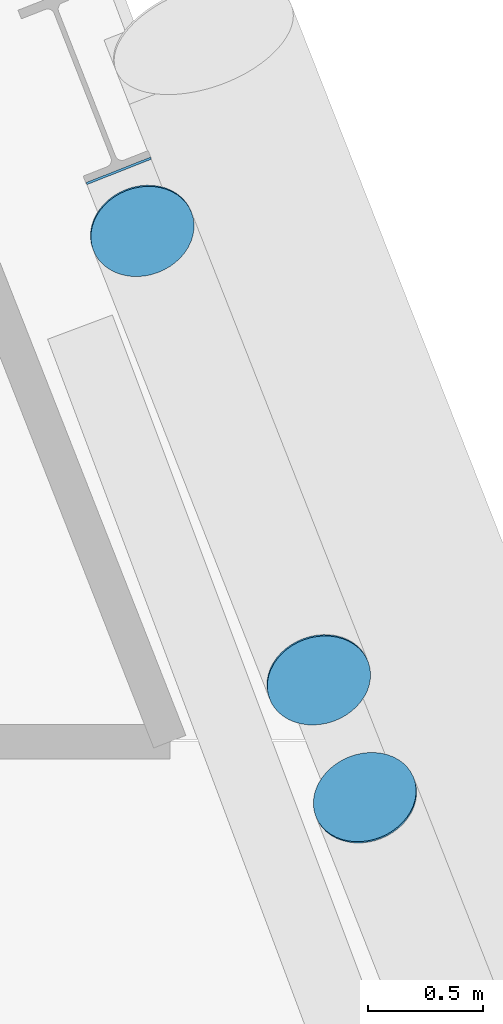
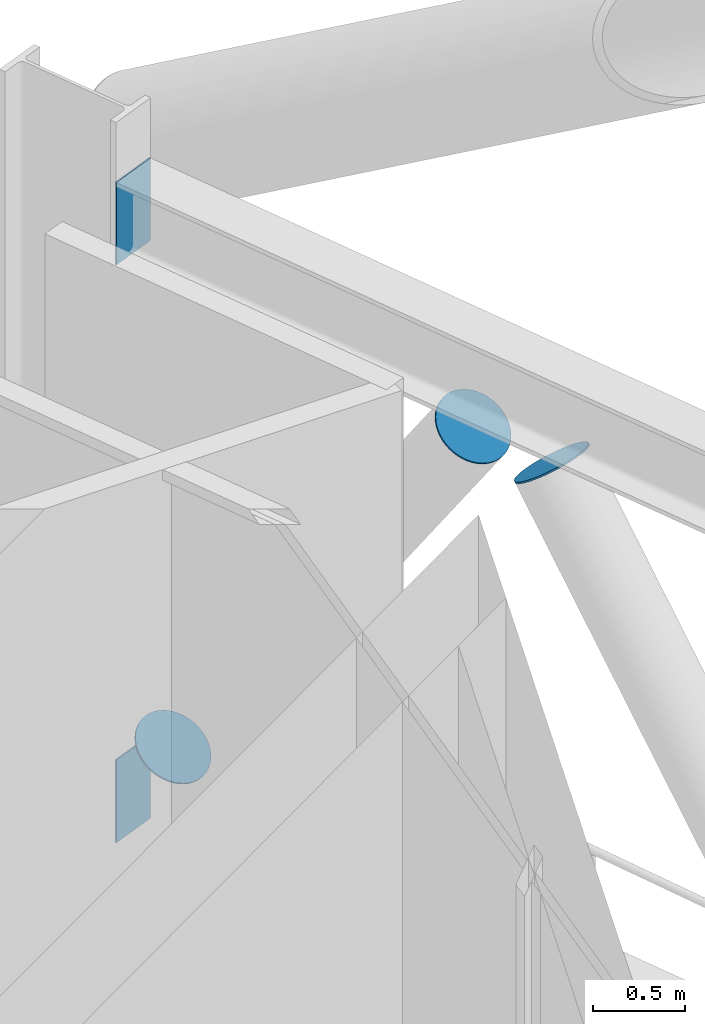
# One storey, part 34 of 39: 5 discrete accessories.
"""IFC4 building model written with IfcOpenShell, lengths in metres."""

from ifc_helpers import new_model, si_unit, direction, frame, origin, origin_2d, place, context, subcontext, project, spatial, rectangle, circle, extrude, material, material_profile, profile_set, type_object, element, save


model = new_model("IFC4")

# Units and contexts
model_context = context("Model", 3, precision=1e-05, world=origin(), true_north=direction((0.0, 1.0)))
body_context = subcontext(model_context, "Body", "Model", "MODEL_VIEW")
ifc_project = project(units=[si_unit("LENGTHUNIT", "METRE"), si_unit("AREAUNIT", "SQUARE_METRE"), si_unit("VOLUMEUNIT", "CUBIC_METRE"), si_unit("PLANEANGLEUNIT", "RADIAN"), si_unit("MASSUNIT", "GRAM", prefix="KILO")], contexts=[model_context])

# Site, building, storey
site_placement = place(None, origin())
site = spatial("IfcSite", under=ifc_project, at=site_placement, CompositionType="ELEMENT")
building_placement = place(site_placement, origin())
building = spatial("IfcBuilding", under=site, at=building_placement, Name="Wharfspan Tower", CompositionType="ELEMENT")
storey_placement = place(building_placement, frame((0.0, 0.0, 91.899902)))
storey = spatial("IfcBuildingStorey", under=building, at=storey_placement, Name="L20", CompositionType="ELEMENT", Elevation=91.899902)

# Discrete accessories
ifc_material_1 = material(Name="Steel S460NH", Category="steel")
ifc_material_profile_1 = material_profile(ifc_material_1, circle(Radius=0.228516, at=origin_2d()))
ifc_profile_set_1 = profile_set([ifc_material_profile_1], Name="Steel S460NH")
discrete_accessory_type_1 = type_object("IfcDiscreteAccessoryType", Name="End plate CHS 457x16", PredefinedType="BRACKET", material=ifc_profile_set_1)
for number, where, z_axis, x_axis, name in (
    (1, (80.983643, 28.75415, 3.720703), (-0.216946, 0.530313, 0.819575), (-0.925547, -0.378634, 1e-06), "End plate CHS 457x16"),
    (2, (80.782471, 29.265869, 3.729004), (-0.193801, 0.532952, -0.823653), (-0.939792, -0.341743, 0.0), "End plate CHS 457x16"),
    (3, (80.016357, 31.215332, 0.679443), (-0.196293, 0.51527, -0.834246), (-0.934491, -0.355996, 0.0), "End plate CHS 457x16"),
):
    element("IfcDiscreteAccessory", number, at=place(storey_placement, frame(where, z_axis=z_axis, x_axis=x_axis)), inside=storey, type_object=discrete_accessory_type_1, Name=name, PredefinedType="BRACKET", context=body_context, shape_type="SweptSolid", body=[
        extrude(circle(Radius=0.228516, at=origin_2d()), origin(), (0.0, 0.0, 1.0), 0.01001),
    ])
ifc_material_2 = material(Name="Steel S355J2", Category="steel")
ifc_material_profile_2 = material_profile(ifc_material_2, rectangle(XDim=0.300049, YDim=0.550049, at=origin_2d()))
ifc_profile_set_2 = profile_set([ifc_material_profile_2], Name="Steel S355J2")
discrete_accessory_type_2 = type_object("IfcDiscreteAccessoryType", Name="End plate HEB 550", PredefinedType="BRACKET", material=ifc_profile_set_2)
for number, where, z_axis, x_axis, name in (
    (4, (79.914795, 31.473633, 4.125), (-0.367167, 0.930155, 0.0), (-0.930155, -0.367167, 0.0), "End plate HEB 550"),
    (5, (79.914795, 31.473633, 0.275146), (-0.367167, 0.930155, 0.0), (-0.930155, -0.367167, 0.0), "End plate HEB 550"),
):
    element("IfcDiscreteAccessory", number, at=place(storey_placement, frame(where, z_axis=z_axis, x_axis=x_axis)), inside=storey, type_object=discrete_accessory_type_2, Name=name, PredefinedType="BRACKET", context=body_context, shape_type="SweptSolid", body=[
        extrude(rectangle(XDim=0.300049, YDim=0.550049, at=origin_2d()), origin(), (0.0, 0.0, 1.0), 0.01001),
    ])

save(model, "model.ifc")
